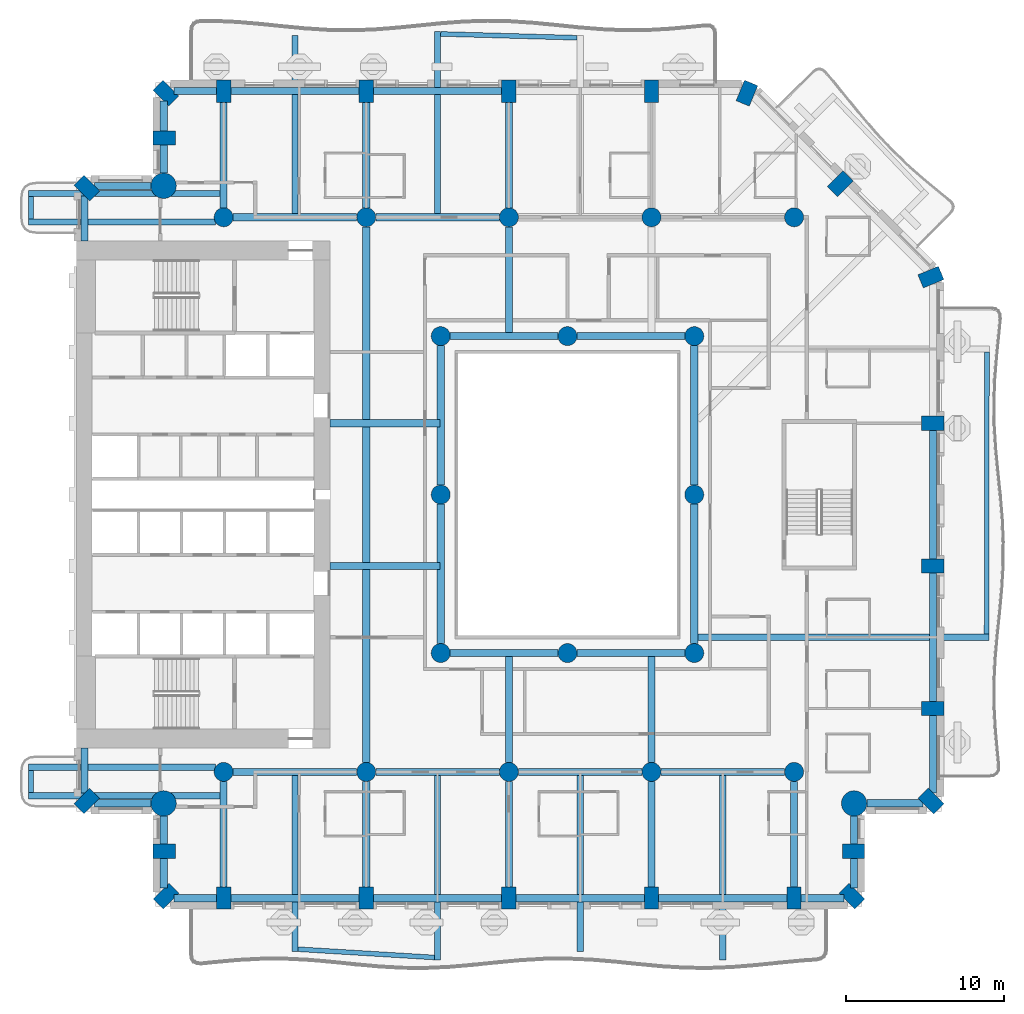
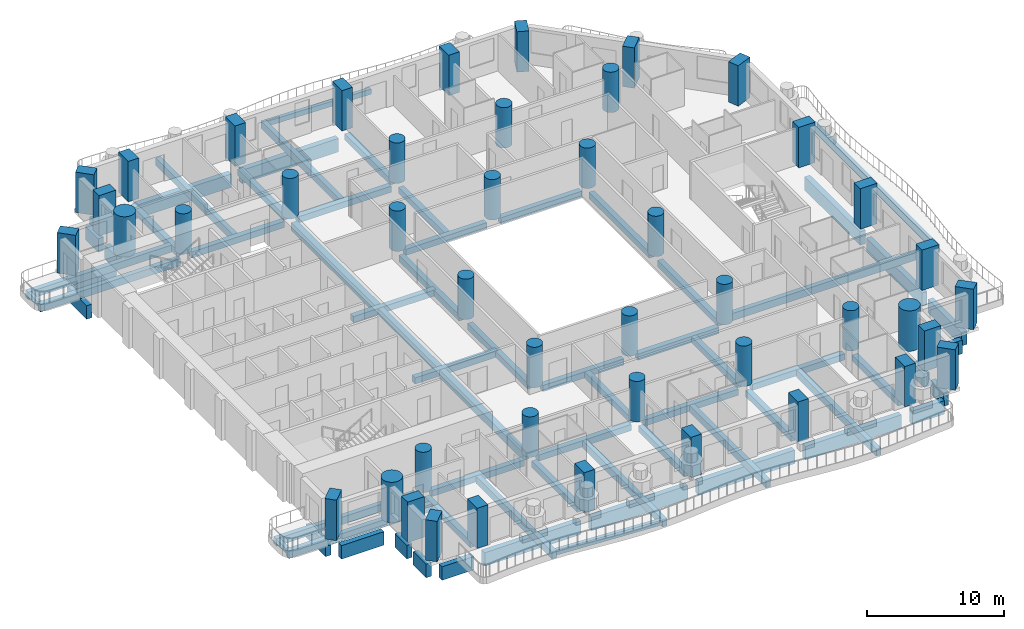
# One storey, part 1 of 20: 69 beams, 45 columns.
"""IFC4 building model written with IfcOpenShell, lengths in metres."""

from ifc_helpers import new_model, si_unit, direction, frame, origin, origin_2d, place, context, subcontext, project, spatial, rectangle, circle, extrude, material, material_profile, profile_set, type_object, element, save


model = new_model("IFC4")

# Units and contexts
model_context = context("Model", 3, precision=1e-05, world=origin(), true_north=direction((0.0, 1.0)))
body_context = subcontext(model_context, "Body", "Model", "MODEL_VIEW")
ifc_project = project(units=[si_unit("LENGTHUNIT", "METRE"), si_unit("AREAUNIT", "SQUARE_METRE"), si_unit("VOLUMEUNIT", "CUBIC_METRE"), si_unit("PLANEANGLEUNIT", "RADIAN"), si_unit("MASSUNIT", "GRAM", prefix="KILO")], contexts=[model_context])

# Site, building, storey
site_placement = place(None, origin())
site = spatial("IfcSite", under=ifc_project, at=site_placement, CompositionType="ELEMENT")
building_placement = place(site_placement, origin())
building = spatial("IfcBuilding", under=site, at=building_placement, Name="Cypress Arch Tower", CompositionType="ELEMENT")
storey_placement = place(building_placement, frame((0.0, 0.0, 80.699951171875)))
storey = spatial("IfcBuildingStorey", under=building, at=storey_placement, Name="L14", CompositionType="ELEMENT", Elevation=80.699951171875)

# Columns
ifc_material_1 = material(Name="Concrete C80/95", Category="concrete")
ifc_material_profile_1 = material_profile(ifc_material_1, rectangle(XDim=0.89990234375, YDim=1.39990234375, at=origin_2d()), Name="RC 900x1400")
ifc_profile_set_1 = profile_set([ifc_material_profile_1], Name="Concrete C80/95")
column_type_1 = type_object("IfcColumnType", Name="Column RC 900x1400 Concrete C80/95", PredefinedType="COLUMN", material=ifc_profile_set_1)
for number, where, z_axis, x_axis, name in (
    (1, (-29.3369140625, 19.3369140625, 0.0), (0.0, 0.0, 1.0), (-0.707106781187, -0.707106781187, 0.0), "Column L14 CA00"),
    (2, (-29.3369140625, -19.3369140625, 0.0), (0.0, 0.0, 1.0), (0.707106781187, -0.707106781187, 0.0), "Column L14 CA01"),
    (3, (-24.449951171875, -22.5, 0.0), (0.0, 0.0, 1.0), (0.0, -1.0, 0.0), "Column L14 CA03"),
    (4, (-24.3369140625, -25.3369140625, 0.0), (0.0, 0.0, 1.0), (0.707106781187, -0.707106781187, 0.0), "Column L14 CA04"),
    (5, (-20.699951171875, -25.449951171875, 0.0), (0.0, 0.0, 1.0), (1.0, 0.0, 0.0), "Column L14 CA05"),
    (6, (-11.699951171875, -25.449951171875, 0.0), (0.0, 0.0, 1.0), (1.0, 0.0, 0.0), "Column L14 CA06"),
    (7, (-2.699951171875, -25.449951171875, 0.0), (0.0, 0.0, 1.0), (1.0, 0.0, 0.0), "Column L14 CA07"),
    (8, (6.300048828125, -25.449951171875, 0.0), (0.0, 0.0, 1.0), (1.0, 0.0, 0.0), "Column L14 CA08"),
    (9, (15.300048828125, -25.449951171875, 0.0), (0.0, 0.0, 1.0), (1.0, 0.0, 0.0), "Column L14 CA09"),
    (10, (18.936767578125, -25.3369140625, 0.0), (0.0, 0.0, 1.0), (0.707106781187, 0.707106781187, 0.0), "Column L14 CA10"),
    (11, (19.050048828125, -22.5, 0.0), (0.0, 0.0, 1.0), (0.0, 1.0, 0.0), "Column L14 CA11"),
    (12, (23.936767578125, -19.3369140625, 0.0), (0.0, 0.0, 1.0), (0.707106781187, 0.707106781187, 0.0), "Column L14 CA13"),
    (13, (24.050048828125, -13.5, 0.0), (0.0, 0.0, 1.0), (0.0, 1.0, 0.0), "Column L14 CA14"),
    (14, (24.050048828125, -4.5, 0.0), (0.0, 0.0, 1.0), (0.0, 1.0, 0.0), "Column L14 CA15"),
    (15, (24.050048828125, 4.5, 0.0), (0.0, 0.0, 1.0), (0.0, 1.0, 0.0), "Column L14 CA16"),
    (16, (23.93115234375, 13.722900390625, 0.0), (0.0, 0.0, 1.0), (-0.382683496864, 0.923879505795, 0.0), "Column L14 CA17"),
    (17, (18.211181640625, 19.611083984375, 0.0), (0.0, 0.0, 1.0), (-0.707106781187, 0.707106781187, 0.0), "Column L14 CA18"),
    (18, (12.322998046875, 25.3310546875, 0.0), (0.0, 0.0, 1.0), (-0.923879505795, 0.382683496864, 0.0), "Column L14 CA19"),
    (19, (6.300048828125, 25.449951171875, 0.0), (0.0, 0.0, 1.0), (-1.0, 0.0, 0.0), "Column L14 CA20"),
    (20, (-2.699951171875, 25.449951171875, 0.0), (0.0, 0.0, 1.0), (-1.0, 0.0, 0.0), "Column L14 CA21"),
    (21, (-11.699951171875, 25.449951171875, 0.0), (0.0, 0.0, 1.0), (-1.0, 0.0, 0.0), "Column L14 CA22"),
    (22, (-20.699951171875, 25.449951171875, 0.0), (0.0, 0.0, 1.0), (-1.0, 0.0, 0.0), "Column L14 CA23"),
    (23, (-24.3369140625, 25.3369140625, 0.0), (0.0, 0.0, 1.0), (-0.707106781187, -0.707106781187, 0.0), "Column L14 CA24"),
    (24, (-24.449951171875, 22.5, 0.0), (0.0, 0.0, 1.0), (0.0, -1.0, 0.0), "Column L14 CA25"),
):
    element("IfcColumn", number, at=place(storey_placement, frame(where, z_axis=z_axis, x_axis=x_axis)), inside=storey, type_object=column_type_1, Name=name, PredefinedType="COLUMN", context=body_context, shape_type="SweptSolid", body=[
        extrude(rectangle(XDim=0.89990234375, YDim=1.39990234375, at=origin_2d()), origin(), (0.0, 0.0, 1.0), 3.60009765625),
    ])
ifc_material_2 = material(Name="Concrete C80/95", Category="concrete")
ifc_material_profile_2 = material_profile(ifc_material_2, circle(Radius=0.60009765625, at=origin_2d()), Name="RC D1200")
ifc_profile_set_2 = profile_set([ifc_material_profile_2], Name="Concrete C80/95")
column_type_2 = type_object("IfcColumnType", Name="Column RC D1200 Concrete C80/95", PredefinedType="COLUMN", material=ifc_profile_set_2)
for number, where, z_axis, x_axis, name in (
    (25, (-20.699951171875, -17.5, 0.0), (0.0, 0.0, 1.0), (1.0, 0.0, 0.0), "Column L14 CIC-L14-CI3S"),
    (26, (-11.699951171875, -17.5, 0.0), (0.0, 0.0, 1.0), (1.0, 0.0, 0.0), "Column L14 CIC-L14-CI4S"),
    (27, (-2.699951171875, -17.5, 0.0), (0.0, 0.0, 1.0), (1.0, 0.0, 0.0), "Column L14 CIC-L14-CI5S"),
    (28, (6.300048828125, -17.5, 0.0), (0.0, 0.0, 1.0), (1.0, 0.0, 0.0), "Column L14 CIC-L14-CI6S"),
    (29, (15.300048828125, -17.5, 0.0), (0.0, 0.0, 1.0), (1.0, 0.0, 0.0), "Column L14 CIC-L14-CI7S"),
    (30, (-20.699951171875, 17.5, 0.0), (0.0, 0.0, 1.0), (1.0, 0.0, 0.0), "Column L14 CIC-L14-CI3N"),
    (31, (-11.699951171875, 17.5, 0.0), (0.0, 0.0, 1.0), (1.0, 0.0, 0.0), "Column L14 CIC-L14-CI4N"),
    (32, (-2.699951171875, 17.5, 0.0), (0.0, 0.0, 1.0), (1.0, 0.0, 0.0), "Column L14 CIC-L14-CI5N"),
    (33, (6.300048828125, 17.5, 0.0), (0.0, 0.0, 1.0), (1.0, 0.0, 0.0), "Column L14 CIC-L14-CI6N"),
    (34, (15.300048828125, 17.5, 0.0), (0.0, 0.0, 1.0), (1.0, 0.0, 0.0), "Column L14 CIC-L14-CI7N"),
    (35, (-7.0, -10.0, 0.0), (0.0, 0.0, 1.0), (1.0, 0.0, 0.0), "Column L14 RNG-L14-G-7-10"),
    (36, (-7.0, 0.0, 0.0), (0.0, 0.0, 1.0), (1.0, 0.0, 0.0), "Column L14 RNG-L14-G-7+0"),
    (37, (-7.0, 10.0, 0.0), (0.0, 0.0, 1.0), (1.0, 0.0, 0.0), "Column L14 RNG-L14-G-7+10"),
    (38, (1.0, -10.0, 0.0), (0.0, 0.0, 1.0), (1.0, 0.0, 0.0), "Column L14 RNG-L14-G+1-10"),
    (39, (1.0, 10.0, 0.0), (0.0, 0.0, 1.0), (1.0, 0.0, 0.0), "Column L14 RNG-L14-G+1+10"),
    (40, (9.0, -10.0, 0.0), (0.0, 0.0, 1.0), (1.0, 0.0, 0.0), "Column L14 RNG-L14-G+9-10"),
    (41, (9.0, 0.0, 0.0), (0.0, 0.0, 1.0), (1.0, 0.0, 0.0), "Column L14 RNG-L14-G+9+0"),
    (42, (9.0, 10.0, 0.0), (0.0, 0.0, 1.0), (1.0, 0.0, 0.0), "Column L14 RNG-L14-G+9+10"),
):
    element("IfcColumn", number, at=place(storey_placement, frame(where, z_axis=z_axis, x_axis=x_axis)), inside=storey, type_object=column_type_2, Name=name, PredefinedType="COLUMN", context=body_context, shape_type="SweptSolid", body=[
        extrude(circle(Radius=0.60009765625, at=origin_2d()), origin(), (0.0, 0.0, 1.0), 3.60009765625),
    ])
ifc_material_3 = material(Name="Concrete C80/95", Category="concrete")
ifc_material_profile_3 = material_profile(ifc_material_3, circle(Radius=0.800048828125, at=origin_2d()), Name="RC D1600")
ifc_profile_set_3 = profile_set([ifc_material_profile_3], Name="Concrete C80/95")
column_type_3 = type_object("IfcColumnType", Name="Mega-column RC D1600 Concrete C80/95", PredefinedType="COLUMN", material=ifc_profile_set_3)
for number, where, z_axis, x_axis, name in (
    (43, (-24.48779296875, -19.48779296875, 0.0), (0.0, 0.0, 1.0), (1.0, 0.0, 0.0), "Column L14 CA02"),
    (44, (19.087890625, -19.48779296875, 0.0), (0.0, 0.0, 1.0), (1.0, 0.0, 0.0), "Column L14 CA12"),
    (45, (-24.48779296875, 19.48779296875, 0.0), (0.0, 0.0, 1.0), (1.0, 0.0, 0.0), "Column L14 CA26"),
):
    element("IfcColumn", number, at=place(storey_placement, frame(where, z_axis=z_axis, x_axis=x_axis)), inside=storey, type_object=column_type_3, Name=name, PredefinedType="COLUMN", context=body_context, shape_type="SweptSolid", body=[
        extrude(circle(Radius=0.800048828125, at=origin_2d()), origin(), (0.0, 0.0, 1.0), 3.60009765625),
    ])

# Beams
ifc_material_4 = material(Name="Concrete C50/60", Category="concrete")
ifc_material_profile_4 = material_profile(ifc_material_4, rectangle(XDim=0.300048828125, YDim=0.449951171875, at=origin_2d()), Name="RC 300x450")
ifc_profile_set_4 = profile_set([ifc_material_profile_4], Name="Concrete C50/60")
beam_type_1 = type_object("IfcBeamType", Name="Balcony edge beam RC 300x450 Concrete C50/60", PredefinedType="BEAM", material=ifc_profile_set_4)
beam_1_placement = place(storey_placement, frame((-16.0, -28.68896484375, -0.52490234375), z_axis=(0.998164917235, -0.060554091527, 0.0), x_axis=(0.060554091527, 0.998164917235, 0.0)))
element("IfcBeam", 46, at=beam_1_placement, inside=storey, type_object=beam_type_1, Name="Balcony edge beam L14 A03", PredefinedType="BEAM", context=body_context, shape_type="SweptSolid", body=[
    extrude(rectangle(XDim=0.300048828125, YDim=0.449951171875, at=origin_2d()), origin(), (0.0, 0.0, 1.0), 8.615966796875),
])
beam_2_placement = place(storey_placement, frame((1.60009765625, 28.8291015625, -0.52490234375), z_axis=(-0.999607696641, 0.02800808484, 0.0), x_axis=(-0.02800808484, -0.999607696641, 0.0)))
element("IfcBeam", 47, at=beam_2_placement, inside=storey, type_object=beam_type_1, Name="Balcony edge beam L14 A08", PredefinedType="BEAM", context=body_context, shape_type="SweptSolid", body=[
    extrude(rectangle(XDim=0.300048828125, YDim=0.449951171875, at=origin_2d()), origin(), (0.0, 0.0, 1.0), 8.603515625),
])
ifc_material_5 = material(Name="Concrete C50/60", Category="concrete")
ifc_material_profile_5 = material_profile(ifc_material_5, rectangle(XDim=0.300048828125, YDim=0.64990234375, at=origin_2d()), Name="RC 300x650")
ifc_profile_set_5 = profile_set([ifc_material_profile_5], Name="Concrete C50/60")
beam_type_2 = type_object("IfcBeamType", Name="Balcony edge beam RC 300x650 Concrete C50/60", PredefinedType="BEAM", material=ifc_profile_set_5)
beam_3_placement = place(storey_placement, frame((27.448486328125, -8.800048828125, -0.625), z_axis=(0.001070560333, 0.99999942695, 0.0), x_axis=(-0.99999942695, 0.001070560333, 0.0)))
element("IfcBeam", 48, at=beam_3_placement, inside=storey, type_object=beam_type_2, Name="Balcony edge beam L14 A06", PredefinedType="BEAM", context=body_context, shape_type="SweptSolid", body=[
    extrude(rectangle(XDim=0.300048828125, YDim=0.64990234375, at=origin_2d()), origin(), (0.0, 0.0, 1.0), 17.787841796875),
])
ifc_material_6 = material(Name="Concrete C50/60", Category="concrete")
ifc_material_profile_6 = material_profile(ifc_material_6, rectangle(XDim=0.300048828125, YDim=0.39990234375, at=origin_2d()), Name="RC 300x400")
ifc_profile_set_6 = profile_set([ifc_material_profile_6], Name="Concrete C50/60")
beam_type_3 = type_object("IfcBeamType", Name="Balcony stub beam RC 300x400 Concrete C50/60", PredefinedType="BEAM", material=ifc_profile_set_6)
for number, where, z_axis, x_axis, name in (
    (49, (-32.85009765625, 18.800048828125, -0.5), (0.0, -1.0, 0.0), (1.0, 0.0, 0.0), "Balcony stub beam L14 A00W0"),
    (50, (-32.85009765625, -17.39990234375, -0.5), (0.0, -1.0, 0.0), (1.0, 0.0, 0.0), "Balcony stub beam L14 A00W1"),
):
    element("IfcBeam", number, at=place(storey_placement, frame(where, z_axis=z_axis, x_axis=x_axis)), inside=storey, type_object=beam_type_3, Name=name, PredefinedType="BEAM", context=body_context, shape_type="SweptSolid", body=[
        extrude(rectangle(XDim=0.300048828125, YDim=0.39990234375, at=origin_2d()), origin(), (0.0, 0.0, 1.0), 1.400146484375),
    ])
ifc_material_7 = material(Name="Concrete C50/60", Category="concrete")
ifc_material_profile_7 = material_profile(ifc_material_7, rectangle(XDim=0.39990234375, YDim=0.64990234375, at=origin_2d()), Name="RC 400x650")
ifc_profile_set_7 = profile_set([ifc_material_profile_7], Name="Concrete C50/60")
beam_type_4 = type_object("IfcBeamType", Name="Cantilever beam RC 400x650 Concrete C50/60", PredefinedType="BEAM", material=ifc_profile_set_7)
beam_4_placement = place(storey_placement, frame((-20.925048828125, 19.0, -0.625), z_axis=(-1.0, 0.0, 0.0), x_axis=(0.0, -1.0, 0.0)))
element("IfcBeam", 51, at=beam_4_placement, inside=storey, type_object=beam_type_4, Name="Cantilever beam L14 A00 1", PredefinedType="BEAM", context=body_context, shape_type="SweptSolid", body=[
    extrude(rectangle(XDim=0.39990234375, YDim=0.64990234375, at=origin_2d()), origin(), (0.0, 0.0, 1.0), 12.074951171875),
])
for number, where, z_axis, x_axis, name in (
    (52, (-21.219482421875, 17.199951171875, -0.625), (-1.0, 0.0, 0.0), (0.0, -1.0, 0.0), "Cantilever beam L14 A00 2"),
    (53, (-21.219482421875, -17.199951171875, -0.625), (-1.0, 0.0, 0.0), (0.0, -1.0, 0.0), "Cantilever beam L14 A00 1"),
):
    element("IfcBeam", number, at=place(storey_placement, frame(where, z_axis=z_axis, x_axis=x_axis)), inside=storey, type_object=beam_type_4, Name=name, PredefinedType="BEAM", context=body_context, shape_type="SweptSolid", body=[
        extrude(rectangle(XDim=0.39990234375, YDim=0.64990234375, at=origin_2d()), origin(), (0.0, 0.0, 1.0), 11.780517578125),
    ])
beam_5_placement = place(storey_placement, frame((-20.925048828125, -19.0, -0.625), z_axis=(-1.0, 0.0, 0.0), x_axis=(0.0, -1.0, 0.0)))
element("IfcBeam", 54, at=beam_5_placement, inside=storey, type_object=beam_type_4, Name="Cantilever beam L14 A00 2", PredefinedType="BEAM", context=body_context, shape_type="SweptSolid", body=[
    extrude(rectangle(XDim=0.39990234375, YDim=0.64990234375, at=origin_2d()), origin(), (0.0, 0.0, 1.0), 12.074951171875),
])
beam_6_placement = place(storey_placement, frame((-16.199951171875, -17.72509765625, -0.625), z_axis=(0.0, -1.0, 0.0), x_axis=(1.0, 0.0, 0.0)))
element("IfcBeam", 55, at=beam_6_placement, inside=storey, type_object=beam_type_4, Name="Cantilever beam L14 A03 1", PredefinedType="BEAM", context=body_context, shape_type="SweptSolid", body=[
    extrude(rectangle(XDim=0.39990234375, YDim=0.64990234375, at=origin_2d()), origin(), (0.0, 0.0, 1.0), 11.11376953125),
])
beam_7_placement = place(storey_placement, frame((-7.199951171875, -17.72509765625, -0.625), z_axis=(0.0, -1.0, 0.0), x_axis=(1.0, 0.0, 0.0)))
element("IfcBeam", 56, at=beam_7_placement, inside=storey, type_object=beam_type_4, Name="Cantilever beam L14 A03 2", PredefinedType="BEAM", context=body_context, shape_type="SweptSolid", body=[
    extrude(rectangle(XDim=0.39990234375, YDim=0.64990234375, at=origin_2d()), origin(), (0.0, 0.0, 1.0), 11.635498046875),
])
beam_8_placement = place(storey_placement, frame((1.800048828125, -17.72509765625, -0.625), z_axis=(0.0, -1.0, 0.0), x_axis=(1.0, 0.0, 0.0)))
element("IfcBeam", 57, at=beam_8_placement, inside=storey, type_object=beam_type_4, Name="Cantilever beam L14 A03 3", PredefinedType="BEAM", context=body_context, shape_type="SweptSolid", body=[
    extrude(rectangle(XDim=0.39990234375, YDim=0.64990234375, at=origin_2d()), origin(), (0.0, 0.0, 1.0), 11.1142578125),
])
beam_9_placement = place(storey_placement, frame((10.800048828125, -17.72509765625, -0.625), z_axis=(0.0, -1.0, 0.0), x_axis=(1.0, 0.0, 0.0)))
element("IfcBeam", 58, at=beam_9_placement, inside=storey, type_object=beam_type_4, Name="Cantilever beam L14 A03 4", PredefinedType="BEAM", context=body_context, shape_type="SweptSolid", body=[
    extrude(rectangle(XDim=0.39990234375, YDim=0.64990234375, at=origin_2d()), origin(), (0.0, 0.0, 1.0), 11.6357421875),
])
beam_10_placement = place(storey_placement, frame((9.22509765625, -9.0, -0.625), z_axis=(1.0, 0.0, 0.0), x_axis=(0.0, 1.0, 0.0)))
element("IfcBeam", 59, at=beam_10_placement, inside=storey, type_object=beam_type_4, Name="Cantilever beam L14 A06 1", PredefinedType="BEAM", context=body_context, shape_type="SweptSolid", body=[
    extrude(rectangle(XDim=0.39990234375, YDim=0.64990234375, at=origin_2d()), origin(), (0.0, 0.0, 1.0), 18.37353515625),
])
beam_11_placement = place(storey_placement, frame((-7.199951171875, 17.72509765625, -0.625), z_axis=(0.0, 1.0, 0.0), x_axis=(-1.0, 0.0, 0.0)))
element("IfcBeam", 60, at=beam_11_placement, inside=storey, type_object=beam_type_4, Name="Cantilever beam L14 A08 2", PredefinedType="BEAM", context=body_context, shape_type="SweptSolid", body=[
    extrude(rectangle(XDim=0.39990234375, YDim=0.64990234375, at=origin_2d()), origin(), (0.0, 0.0, 1.0), 11.4951171875),
])
beam_12_placement = place(storey_placement, frame((-16.199951171875, 17.72509765625, -0.625), z_axis=(0.0, 1.0, 0.0), x_axis=(-1.0, 0.0, 0.0)))
element("IfcBeam", 61, at=beam_12_placement, inside=storey, type_object=beam_type_4, Name="Cantilever beam L14 A08 3", PredefinedType="BEAM", context=body_context, shape_type="SweptSolid", body=[
    extrude(rectangle(XDim=0.39990234375, YDim=0.64990234375, at=origin_2d()), origin(), (0.0, 0.0, 1.0), 11.256591796875),
])
ifc_material_8 = material(Name="Concrete C50/60", Category="concrete")
ifc_material_profile_8 = material_profile(ifc_material_8, rectangle(XDim=0.449951171875, YDim=0.550048828125, at=origin_2d()), Name="RC 450x550")
ifc_profile_set_8 = profile_set([ifc_material_profile_8], Name="Concrete C50/60")
beam_type_5 = type_object("IfcBeamType", Name="Floor beam RC 450x550 Concrete C50/60", PredefinedType="BEAM", material=ifc_profile_set_8)
for number, where, z_axis, x_axis, name in (
    (62, (-7.0, -9.39990234375, -0.574951171875), (0.0, 1.0, 0.0), (-1.0, 0.0, 0.0), "Floor beam L14 RB001"),
    (63, (-7.0, 0.60009765625, -0.574951171875), (0.0, 1.0, 0.0), (-1.0, 0.0, 0.0), "Floor beam L14 RB002"),
    (64, (9.0, -9.39990234375, -0.574951171875), (0.0, 1.0, 0.0), (-1.0, 0.0, 0.0), "Floor beam L14 RB003"),
    (65, (9.0, 0.60009765625, -0.574951171875), (0.0, 1.0, 0.0), (-1.0, 0.0, 0.0), "Floor beam L14 RB004"),
):
    element("IfcBeam", number, at=place(storey_placement, frame(where, z_axis=z_axis, x_axis=x_axis)), inside=storey, type_object=beam_type_5, Name=name, PredefinedType="BEAM", context=body_context, shape_type="SweptSolid", body=[
        extrude(rectangle(XDim=0.449951171875, YDim=0.550048828125, at=origin_2d()), origin(), (0.0, 0.0, 1.0), 8.7998046875),
    ])
for number, where, z_axis, x_axis, name in (
    (66, (-6.39990234375, -10.0, -0.574951171875), (1.0, 0.0, 0.0), (0.0, 1.0, 0.0), "Floor beam L14 RB005"),
    (67, (1.60009765625, -10.0, -0.574951171875), (1.0, 0.0, 0.0), (0.0, 1.0, 0.0), "Floor beam L14 RB006"),
    (68, (-6.39990234375, 10.0, -0.574951171875), (1.0, 0.0, 0.0), (0.0, 1.0, 0.0), "Floor beam L14 RB007"),
    (69, (1.60009765625, 10.0, -0.574951171875), (1.0, 0.0, 0.0), (0.0, 1.0, 0.0), "Floor beam L14 RB008"),
):
    element("IfcBeam", number, at=place(storey_placement, frame(where, z_axis=z_axis, x_axis=x_axis)), inside=storey, type_object=beam_type_5, Name=name, PredefinedType="BEAM", context=body_context, shape_type="SweptSolid", body=[
        extrude(rectangle(XDim=0.449951171875, YDim=0.550048828125, at=origin_2d()), origin(), (0.0, 0.0, 1.0), 6.7998046875),
    ])
for number, where, z_axis, x_axis, name in (
    (70, (-20.10009765625, -17.5, -0.574951171875), (1.0, 0.0, 0.0), (0.0, 1.0, 0.0), "Floor beam L14 FB009"),
    (71, (-11.10009765625, -17.5, -0.574951171875), (1.0, 0.0, 0.0), (0.0, 1.0, 0.0), "Floor beam L14 FB010"),
    (72, (-2.10009765625, -17.5, -0.574951171875), (1.0, 0.0, 0.0), (0.0, 1.0, 0.0), "Floor beam L14 FB011"),
    (73, (6.89990234375, -17.5, -0.574951171875), (1.0, 0.0, 0.0), (0.0, 1.0, 0.0), "Floor beam L14 FB012"),
):
    element("IfcBeam", number, at=place(storey_placement, frame(where, z_axis=z_axis, x_axis=x_axis)), inside=storey, type_object=beam_type_5, Name=name, PredefinedType="BEAM", context=body_context, shape_type="SweptSolid", body=[
        extrude(rectangle(XDim=0.449951171875, YDim=0.550048828125, at=origin_2d()), origin(), (0.0, 0.0, 1.0), 7.800048828125),
    ])
for number, where, z_axis, x_axis, name in (
    (74, (-14.0, -4.5, -0.574951171875), (1.0, 0.0, 0.0), (0.0, 1.0, 0.0), "Floor beam L14 FB013"),
    (75, (-14.0, 4.5, -0.574951171875), (1.0, 0.0, 0.0), (0.0, 1.0, 0.0), "Floor beam L14 FB014"),
):
    element("IfcBeam", number, at=place(storey_placement, frame(where, z_axis=z_axis, x_axis=x_axis)), inside=storey, type_object=beam_type_5, Name=name, PredefinedType="BEAM", context=body_context, shape_type="SweptSolid", body=[
        extrude(rectangle(XDim=0.449951171875, YDim=0.550048828125, at=origin_2d()), origin(), (0.0, 0.0, 1.0), 6.949951171875),
    ])
for number, where, z_axis, x_axis, name in (
    (76, (-20.10009765625, 17.5, -0.574951171875), (1.0, 0.0, 0.0), (0.0, 1.0, 0.0), "Floor beam L14 FB015"),
    (77, (-11.10009765625, 17.5, -0.574951171875), (1.0, 0.0, 0.0), (0.0, 1.0, 0.0), "Floor beam L14 FB016"),
):
    element("IfcBeam", number, at=place(storey_placement, frame(where, z_axis=z_axis, x_axis=x_axis)), inside=storey, type_object=beam_type_5, Name=name, PredefinedType="BEAM", context=body_context, shape_type="SweptSolid", body=[
        extrude(rectangle(XDim=0.449951171875, YDim=0.550048828125, at=origin_2d()), origin(), (0.0, 0.0, 1.0), 7.800048828125),
    ])
for number, where, z_axis, x_axis, name in (
    (78, (-20.699951171875, -24.75, -0.574951171875), (0.0, 1.0, 0.0), (-1.0, 0.0, 0.0), "Floor beam L14 FB019"),
    (79, (-20.699951171875, 18.10009765625, -0.574951171875), (0.0, 1.0, 0.0), (-1.0, 0.0, 0.0), "Floor beam L14 FB020"),
    (80, (-11.699951171875, -24.75, -0.574951171875), (0.0, 1.0, 0.0), (-1.0, 0.0, 0.0), "Floor beam L14 FB021"),
):
    element("IfcBeam", number, at=place(storey_placement, frame(where, z_axis=z_axis, x_axis=x_axis)), inside=storey, type_object=beam_type_5, Name=name, PredefinedType="BEAM", context=body_context, shape_type="SweptSolid", body=[
        extrude(rectangle(XDim=0.449951171875, YDim=0.550048828125, at=origin_2d()), origin(), (0.0, 0.0, 1.0), 6.64990234375),
    ])
beam_13_placement = place(storey_placement, frame((-11.699951171875, -4.27490234375, -0.574951171875), z_axis=(0.0, 1.0, 0.0), x_axis=(-1.0, 0.0, 0.0)))
element("IfcBeam", 81, at=beam_13_placement, inside=storey, type_object=beam_type_5, Name="Floor beam L14 FB023", PredefinedType="BEAM", context=body_context, shape_type="SweptSolid", body=[
    extrude(rectangle(XDim=0.449951171875, YDim=0.550048828125, at=origin_2d()), origin(), (0.0, 0.0, 1.0), 8.5498046875),
])
for number, where, z_axis, x_axis, name in (
    (82, (-11.699951171875, 18.10009765625, -0.574951171875), (0.0, 1.0, 0.0), (-1.0, 0.0, 0.0), "Floor beam L14 FB025"),
    (83, (-2.699951171875, -24.75, -0.574951171875), (0.0, 1.0, 0.0), (-1.0, 0.0, 0.0), "Floor beam L14 FB026"),
):
    element("IfcBeam", number, at=place(storey_placement, frame(where, z_axis=z_axis, x_axis=x_axis)), inside=storey, type_object=beam_type_5, Name=name, PredefinedType="BEAM", context=body_context, shape_type="SweptSolid", body=[
        extrude(rectangle(XDim=0.449951171875, YDim=0.550048828125, at=origin_2d()), origin(), (0.0, 0.0, 1.0), 6.64990234375),
    ])
for number, where, z_axis, x_axis, name in (
    (84, (-2.699951171875, -16.89990234375, -0.574951171875), (0.0, 1.0, 0.0), (-1.0, 0.0, 0.0), "Floor beam L14 FB027"),
    (85, (-2.699951171875, 10.22509765625, -0.574951171875), (0.0, 1.0, 0.0), (-1.0, 0.0, 0.0), "Floor beam L14 FB028"),
):
    element("IfcBeam", number, at=place(storey_placement, frame(where, z_axis=z_axis, x_axis=x_axis)), inside=storey, type_object=beam_type_5, Name=name, PredefinedType="BEAM", context=body_context, shape_type="SweptSolid", body=[
        extrude(rectangle(XDim=0.449951171875, YDim=0.550048828125, at=origin_2d()), origin(), (0.0, 0.0, 1.0), 6.6748046875),
    ])
for number, where, z_axis, x_axis, name in (
    (86, (-2.699951171875, 18.10009765625, -0.574951171875), (0.0, 1.0, 0.0), (-1.0, 0.0, 0.0), "Floor beam L14 FB029"),
    (87, (6.300048828125, -24.75, -0.574951171875), (0.0, 1.0, 0.0), (-1.0, 0.0, 0.0), "Floor beam L14 FB030"),
):
    element("IfcBeam", number, at=place(storey_placement, frame(where, z_axis=z_axis, x_axis=x_axis)), inside=storey, type_object=beam_type_5, Name=name, PredefinedType="BEAM", context=body_context, shape_type="SweptSolid", body=[
        extrude(rectangle(XDim=0.449951171875, YDim=0.550048828125, at=origin_2d()), origin(), (0.0, 0.0, 1.0), 6.64990234375),
    ])
beam_14_placement = place(storey_placement, frame((6.300048828125, -16.89990234375, -0.574951171875), z_axis=(0.0, 1.0, 0.0), x_axis=(-1.0, 0.0, 0.0)))
element("IfcBeam", 88, at=beam_14_placement, inside=storey, type_object=beam_type_5, Name="Floor beam L14 FB031", PredefinedType="BEAM", context=body_context, shape_type="SweptSolid", body=[
    extrude(rectangle(XDim=0.449951171875, YDim=0.550048828125, at=origin_2d()), origin(), (0.0, 0.0, 1.0), 6.6748046875),
])
beam_15_placement = place(storey_placement, frame((15.300048828125, -24.75, -0.574951171875), z_axis=(0.0, 1.0, 0.0), x_axis=(-1.0, 0.0, 0.0)))
element("IfcBeam", 89, at=beam_15_placement, inside=storey, type_object=beam_type_5, Name="Floor beam L14 FB034", PredefinedType="BEAM", context=body_context, shape_type="SweptSolid", body=[
    extrude(rectangle(XDim=0.449951171875, YDim=0.550048828125, at=origin_2d()), origin(), (0.0, 0.0, 1.0), 6.64990234375),
])
ifc_material_9 = material(Name="Concrete C50/60", Category="concrete")
ifc_material_profile_9 = material_profile(ifc_material_9, rectangle(XDim=0.5, YDim=0.699951171875, at=origin_2d()), Name="RC 500x700")
ifc_profile_set_9 = profile_set([ifc_material_profile_9], Name="Concrete C50/60")
beam_type_6 = type_object("IfcBeamType", Name="Floor beam RC 500x700 Concrete C50/60", PredefinedType="BEAM", material=ifc_profile_set_9)
for number, where, z_axis, x_axis, name in (
    (90, (-11.699951171875, -16.89990234375, -0.64990234375), (0.0, 1.0, 0.0), (-1.0, 0.0, 0.0), "Floor beam L14 FB022"),
    (91, (-11.699951171875, 4.72509765625, -0.64990234375), (0.0, 1.0, 0.0), (-1.0, 0.0, 0.0), "Floor beam L14 FB024"),
):
    element("IfcBeam", number, at=place(storey_placement, frame(where, z_axis=z_axis, x_axis=x_axis)), inside=storey, type_object=beam_type_6, Name=name, PredefinedType="BEAM", context=body_context, shape_type="SweptSolid", body=[
        extrude(rectangle(XDim=0.5, YDim=0.699951171875, at=origin_2d()), origin(), (0.0, 0.0, 1.0), 12.1748046875),
    ])
ifc_material_10 = material(Name="Concrete C50/60", Category="concrete")
ifc_material_profile_10 = material_profile(ifc_material_10, rectangle(XDim=0.449951171875, YDim=1.199951171875, at=origin_2d()), Name="RC 450x1200")
ifc_profile_set_10 = profile_set([ifc_material_profile_10], Name="Concrete C50/60")
beam_type_7 = type_object("IfcBeamType", Name="Spandrel beam RC 450x1200 Concrete C50/60", PredefinedType="SPANDREL", material=ifc_profile_set_10)
for number, where, z_axis, x_axis, name in (
    (92, (-29.47509765625, 18.838623046875, -1.550048828125), (0.0, -1.0, 0.0), (1.0, 0.0, 0.0), "Spandrel beam L14 BA00-0"),
    (93, (-29.47509765625, -16.0, -1.550048828125), (0.0, -1.0, 0.0), (1.0, 0.0, 0.0), "Spandrel beam L14 BA00-0"),
):
    element("IfcBeam", number, at=place(storey_placement, frame(where, z_axis=z_axis, x_axis=x_axis)), inside=storey, type_object=beam_type_7, Name=name, PredefinedType="SPANDREL", context=body_context, shape_type="SweptSolid", body=[
        extrude(rectangle(XDim=0.449951171875, YDim=1.199951171875, at=origin_2d()), origin(), (0.0, 0.0, 1.0), 2.838623046875),
    ])
beam_16_placement = place(storey_placement, frame((-28.838623046875, -19.47509765625, -1.550048828125), z_axis=(1.0, 0.0, 0.0), x_axis=(0.0, 1.0, 0.0)))
element("IfcBeam", 94, at=beam_16_placement, inside=storey, type_object=beam_type_7, Name="Spandrel beam L14 BA01-0", PredefinedType="SPANDREL", context=body_context, shape_type="SweptSolid", body=[
    extrude(rectangle(XDim=0.449951171875, YDim=1.199951171875, at=origin_2d()), origin(), (0.0, 0.0, 1.0), 3.551025390625),
])
beam_17_placement = place(storey_placement, frame((-24.47509765625, -20.28759765625, -1.550048828125), z_axis=(0.0, -1.0, 0.0), x_axis=(1.0, 0.0, 0.0)))
element("IfcBeam", 95, at=beam_17_placement, inside=storey, type_object=beam_type_7, Name="Spandrel beam L14 BA02-0", PredefinedType="SPANDREL", context=body_context, shape_type="SweptSolid", body=[
    extrude(rectangle(XDim=0.449951171875, YDim=1.199951171875, at=origin_2d()), origin(), (0.0, 0.0, 1.0), 1.762451171875),
])
beam_18_placement = place(storey_placement, frame((-24.47509765625, -22.949951171875, -1.550048828125), z_axis=(0.0, -1.0, 0.0), x_axis=(1.0, 0.0, 0.0)))
element("IfcBeam", 96, at=beam_18_placement, inside=storey, type_object=beam_type_7, Name="Spandrel beam L14 BA02-1", PredefinedType="SPANDREL", context=body_context, shape_type="SweptSolid", body=[
    extrude(rectangle(XDim=0.449951171875, YDim=1.199951171875, at=origin_2d()), origin(), (0.0, 0.0, 1.0), 1.888671875),
])
beam_19_placement = place(storey_placement, frame((-23.838623046875, -25.47509765625, -1.550048828125), z_axis=(1.0, 0.0, 0.0), x_axis=(0.0, 1.0, 0.0)))
element("IfcBeam", 97, at=beam_19_placement, inside=storey, type_object=beam_type_7, Name="Spandrel beam L14 BA03-0", PredefinedType="SPANDREL", context=body_context, shape_type="SweptSolid", body=[
    extrude(rectangle(XDim=0.449951171875, YDim=1.199951171875, at=origin_2d()), origin(), (0.0, 0.0, 1.0), 2.688720703125),
])
for number, where, z_axis, x_axis, name in (
    (98, (-20.25, -25.47509765625, -1.550048828125), (1.0, 0.0, 0.0), (0.0, 1.0, 0.0), "Spandrel beam L14 BA03-1"),
    (99, (-11.25, -25.47509765625, -1.550048828125), (1.0, 0.0, 0.0), (0.0, 1.0, 0.0), "Spandrel beam L14 BA03-2"),
    (100, (-2.25, -25.47509765625, -1.550048828125), (1.0, 0.0, 0.0), (0.0, 1.0, 0.0), "Spandrel beam L14 BA03-3"),
    (101, (6.75, -25.47509765625, -1.550048828125), (1.0, 0.0, 0.0), (0.0, 1.0, 0.0), "Spandrel beam L14 BA03-4"),
):
    element("IfcBeam", number, at=place(storey_placement, frame(where, z_axis=z_axis, x_axis=x_axis)), inside=storey, type_object=beam_type_7, Name=name, PredefinedType="SPANDREL", context=body_context, shape_type="SweptSolid", body=[
        extrude(rectangle(XDim=0.449951171875, YDim=1.199951171875, at=origin_2d()), origin(), (0.0, 0.0, 1.0), 8.10009765625),
    ])
beam_20_placement = place(storey_placement, frame((15.75, -25.47509765625, -1.550048828125), z_axis=(1.0, 0.0, 0.0), x_axis=(0.0, 1.0, 0.0)))
element("IfcBeam", 102, at=beam_20_placement, inside=storey, type_object=beam_type_7, Name="Spandrel beam L14 BA03-5", PredefinedType="SPANDREL", context=body_context, shape_type="SweptSolid", body=[
    extrude(rectangle(XDim=0.449951171875, YDim=1.199951171875, at=origin_2d()), origin(), (0.0, 0.0, 1.0), 2.688720703125),
])
beam_21_placement = place(storey_placement, frame((19.074951171875, -24.838623046875, -1.550048828125), z_axis=(0.0, 1.0, 0.0), x_axis=(-1.0, 0.0, 0.0)))
element("IfcBeam", 103, at=beam_21_placement, inside=storey, type_object=beam_type_7, Name="Spandrel beam L14 BA04-0", PredefinedType="SPANDREL", context=body_context, shape_type="SweptSolid", body=[
    extrude(rectangle(XDim=0.449951171875, YDim=1.199951171875, at=origin_2d()), origin(), (0.0, 0.0, 1.0), 1.888671875),
])
beam_22_placement = place(storey_placement, frame((19.074951171875, -22.050048828125, -1.550048828125), z_axis=(0.0, 1.0, 0.0), x_axis=(-1.0, 0.0, 0.0)))
element("IfcBeam", 104, at=beam_22_placement, inside=storey, type_object=beam_type_7, Name="Spandrel beam L14 BA04-1", PredefinedType="SPANDREL", context=body_context, shape_type="SweptSolid", body=[
    extrude(rectangle(XDim=0.449951171875, YDim=1.199951171875, at=origin_2d()), origin(), (0.0, 0.0, 1.0), 1.762451171875),
])
beam_23_placement = place(storey_placement, frame((19.887451171875, -19.47509765625, -1.550048828125), z_axis=(1.0, 0.0, 0.0), x_axis=(0.0, 1.0, 0.0)))
element("IfcBeam", 105, at=beam_23_placement, inside=storey, type_object=beam_type_7, Name="Spandrel beam L14 BA05-0", PredefinedType="SPANDREL", context=body_context, shape_type="SweptSolid", body=[
    extrude(rectangle(XDim=0.449951171875, YDim=1.199951171875, at=origin_2d()), origin(), (0.0, 0.0, 1.0), 3.55126953125),
])
beam_24_placement = place(storey_placement, frame((24.074951171875, -18.838623046875, -1.550048828125), z_axis=(0.0, 1.0, 0.0), x_axis=(-1.0, 0.0, 0.0)))
element("IfcBeam", 106, at=beam_24_placement, inside=storey, type_object=beam_type_7, Name="Spandrel beam L14 BA06-0", PredefinedType="SPANDREL", context=body_context, shape_type="SweptSolid", body=[
    extrude(rectangle(XDim=0.449951171875, YDim=1.199951171875, at=origin_2d()), origin(), (0.0, 0.0, 1.0), 4.888671875),
])
for number, where, z_axis, x_axis, name in (
    (107, (24.074951171875, -13.050048828125, -1.550048828125), (0.0, 1.0, 0.0), (-1.0, 0.0, 0.0), "Spandrel beam L14 BA06-1"),
    (108, (24.074951171875, -4.050048828125, -1.550048828125), (0.0, 1.0, 0.0), (-1.0, 0.0, 0.0), "Spandrel beam L14 BA06-2"),
    (109, (-3.14990234375, 25.47509765625, -1.550048828125), (-1.0, 0.0, 0.0), (0.0, -1.0, 0.0), "Spandrel beam L14 BA08-2"),
    (110, (-12.14990234375, 25.47509765625, -1.550048828125), (-1.0, 0.0, 0.0), (0.0, -1.0, 0.0), "Spandrel beam L14 BA08-3"),
):
    element("IfcBeam", number, at=place(storey_placement, frame(where, z_axis=z_axis, x_axis=x_axis)), inside=storey, type_object=beam_type_7, Name=name, PredefinedType="SPANDREL", context=body_context, shape_type="SweptSolid", body=[
        extrude(rectangle(XDim=0.449951171875, YDim=1.199951171875, at=origin_2d()), origin(), (0.0, 0.0, 1.0), 8.10009765625),
    ])
beam_25_placement = place(storey_placement, frame((-21.14990234375, 25.47509765625, -1.550048828125), z_axis=(-1.0, 0.0, 0.0), x_axis=(0.0, -1.0, 0.0)))
element("IfcBeam", 111, at=beam_25_placement, inside=storey, type_object=beam_type_7, Name="Spandrel beam L14 BA08-4", PredefinedType="SPANDREL", context=body_context, shape_type="SweptSolid", body=[
    extrude(rectangle(XDim=0.449951171875, YDim=1.199951171875, at=origin_2d()), origin(), (0.0, 0.0, 1.0), 2.688720703125),
])
beam_26_placement = place(storey_placement, frame((-24.47509765625, 24.838623046875, -1.550048828125), z_axis=(0.0, -1.0, 0.0), x_axis=(1.0, 0.0, 0.0)))
element("IfcBeam", 112, at=beam_26_placement, inside=storey, type_object=beam_type_7, Name="Spandrel beam L14 BA09-0", PredefinedType="SPANDREL", context=body_context, shape_type="SweptSolid", body=[
    extrude(rectangle(XDim=0.449951171875, YDim=1.199951171875, at=origin_2d()), origin(), (0.0, 0.0, 1.0), 1.888671875),
])
beam_27_placement = place(storey_placement, frame((-24.47509765625, 22.050048828125, -1.550048828125), z_axis=(0.0, -1.0, 0.0), x_axis=(1.0, 0.0, 0.0)))
element("IfcBeam", 113, at=beam_27_placement, inside=storey, type_object=beam_type_7, Name="Spandrel beam L14 BA09-1", PredefinedType="SPANDREL", context=body_context, shape_type="SweptSolid", body=[
    extrude(rectangle(XDim=0.449951171875, YDim=1.199951171875, at=origin_2d()), origin(), (0.0, 0.0, 1.0), 1.762451171875),
])
beam_28_placement = place(storey_placement, frame((-25.28759765625, 19.47509765625, -1.550048828125), z_axis=(-1.0, 0.0, 0.0), x_axis=(0.0, -1.0, 0.0)))
element("IfcBeam", 114, at=beam_28_placement, inside=storey, type_object=beam_type_7, Name="Spandrel beam L14 BA10-0", PredefinedType="SPANDREL", context=body_context, shape_type="SweptSolid", body=[
    extrude(rectangle(XDim=0.449951171875, YDim=1.199951171875, at=origin_2d()), origin(), (0.0, 0.0, 1.0), 3.551025390625),
])

save(model, "model.ifc")
